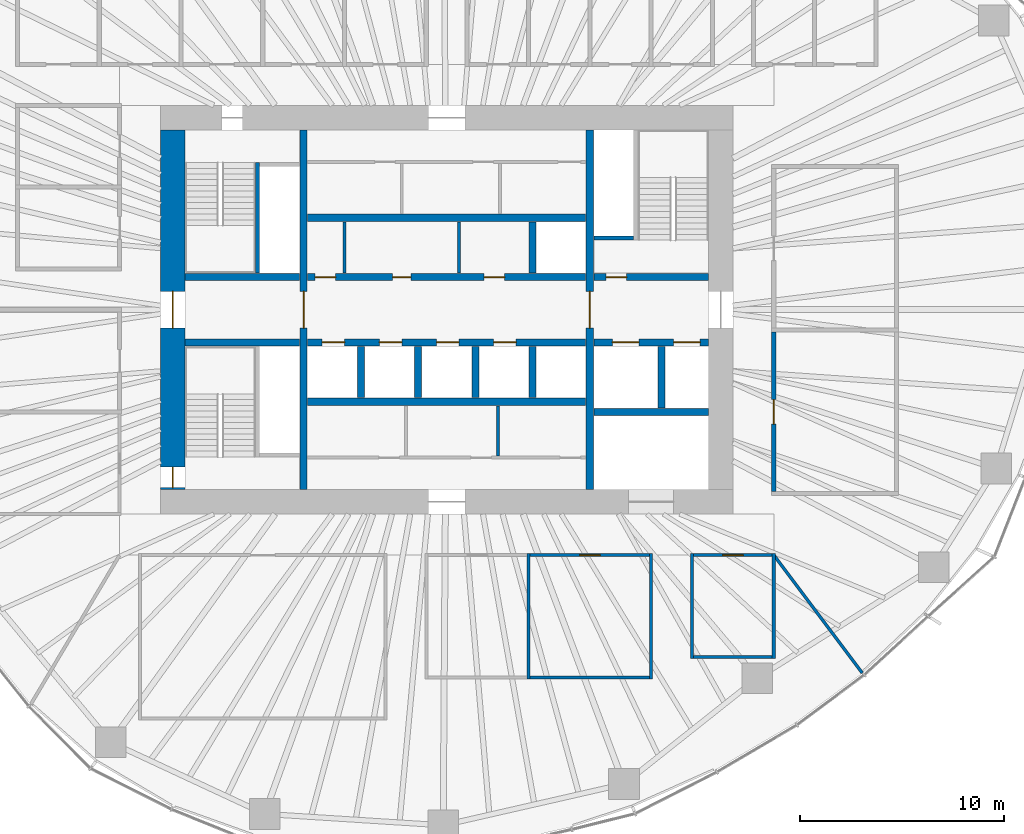
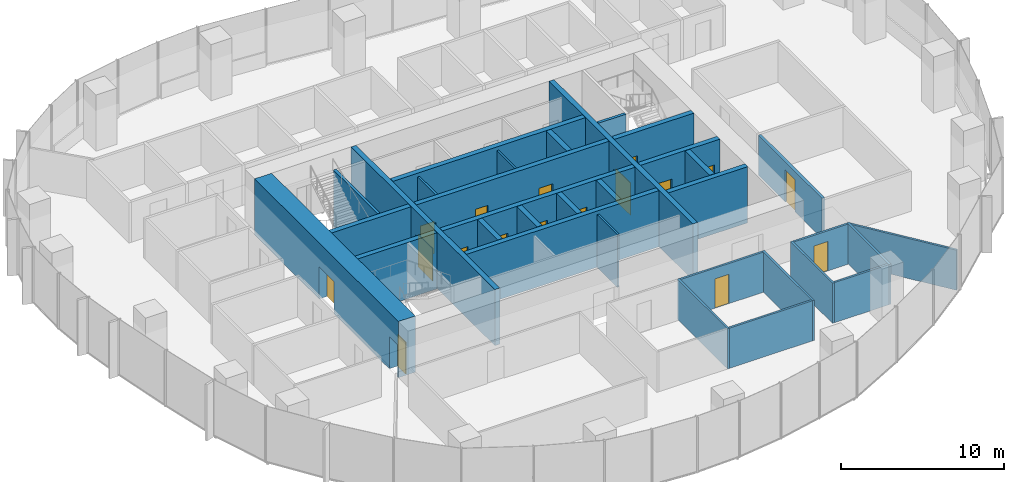
# One storey, part 9 of 18: 33 walls, 17 doors, 17 openings.
"""IFC4 building model written with IfcOpenShell, lengths in metres."""

from ifc_helpers import new_model, si_unit, direction, frame, frame_2d, origin, place, context, subcontext, project, spatial, rectangle, extrude, material, layer, layer_set, type_object, element, fill, save


model = new_model("IFC4")

# Units and contexts
model_context = context("Model", 3, precision=1e-05, world=origin(), true_north=direction((0.0, 1.0)))
body_context = subcontext(model_context, "Body", "Model", "MODEL_VIEW")
ifc_project = project(units=[si_unit("LENGTHUNIT", "METRE"), si_unit("AREAUNIT", "SQUARE_METRE"), si_unit("VOLUMEUNIT", "CUBIC_METRE"), si_unit("PLANEANGLEUNIT", "RADIAN"), si_unit("MASSUNIT", "GRAM", prefix="KILO")], contexts=[model_context])

# Site, building, storey
site_placement = place(None, origin())
site = spatial("IfcSite", under=ifc_project, at=site_placement, CompositionType="ELEMENT")
building_placement = place(site_placement, origin())
building = spatial("IfcBuilding", under=site, at=building_placement, Name="Ghaith Harvest Tower", CompositionType="ELEMENT")
storey_placement = place(building_placement, frame((0.0, 0.0, 138.60009765625)))
storey = spatial("IfcBuildingStorey", under=building, at=storey_placement, Name="L29", CompositionType="ELEMENT", Elevation=138.60009765625)

# Wall, opening, door
ifc_material_1 = material(Name="Twin-stud gypsum board, acoustic", Category="gypsum")
ifc_layer_1 = layer(ifc_material_1, 0.199951171875)
ifc_layer_set_1 = layer_set([ifc_layer_1], Name="ACOUSTIC PARTITION 200")
wall_type_1 = type_object("IfcWallType", Name="ACOUSTIC PARTITION 200", PredefinedType="PARTITIONING", material=ifc_layer_set_1)
wall_1_placement = place(storey_placement, frame((16.0, -8.89990234375, 0.0), z_axis=(0.0, 0.0, 1.0), x_axis=(0.0, 1.0, 0.0)))
wall_1 = element("IfcWall", 1, at=wall_1_placement, inside=storey, type_object=wall_type_1, Name="Partition L29-13", PredefinedType="PARTITIONING", context=body_context, shape_type="SweptSolid", body=[
    extrude(rectangle(XDim=7.7998046875, YDim=0.199951171875, at=frame_2d((3.89990234375, 0.0))), origin(), (0.0, 0.0, 1.0), 3.0),
])
opening_1_placement = place(wall_1_placement, frame((3.300048828125, 0.0, 0.0)))
opening_1 = element("IfcOpeningElement", 2, at=opening_1_placement, cuts=wall_1, Name="Opening 29-038", PredefinedType="OPENING", context=body_context, shape_type="SweptSolid", body=[
    extrude(rectangle(XDim=1.199951171875, YDim=2.39990234375, at=frame_2d((0.60009765625, 1.199951171875))), frame((0.0, 0.10986328125, 0.0), z_axis=(0.0, -1.0, 0.0), x_axis=(1.0, 0.0, 0.0)), (0.0, 0.0, 1.0), 0.219970703125),
])
ifc_material_2 = material(Name="Timber door", Category="wood")
door_type_1 = type_object("IfcDoorType", Name="D11 GLAZED 1200x2400", OperationType="SINGLE_SWING_LEFT", PredefinedType="DOOR", material=ifc_material_2)
door_1_placement = place(opening_1_placement, origin())
door_1 = element("IfcDoor", 3, at=door_1_placement, inside=storey, type_object=door_type_1, Name="Meeting room door", OperationType="SINGLE_SWING_LEFT", OverallHeight=2.39990234375, OverallWidth=1.199951171875, PredefinedType="DOOR", context=body_context, shape_type="SweptSolid", body=[
    extrude(rectangle(XDim=1.199951171875, YDim=2.39990234375, at=frame_2d((0.60009765625, 1.199951171875))), frame((0.0, 0.02490234375, 0.0), z_axis=(0.0, -1.0, 0.0), x_axis=(1.0, 0.0, 0.0)), (0.0, 0.0, 1.0), 0.050048828125),
])
fill(opening_1, door_1)

# Walls
ifc_material_3 = material(Name="Concrete blockwork, fair-faced", Category="masonry")
ifc_layer_2 = layer(ifc_material_3, 0.139892578125)
ifc_layer_set_2 = layer_set([ifc_layer_2], Name="CORE PARTITION 140")
wall_type_2 = type_object("IfcWallType", Name="CORE PARTITION 140", PredefinedType="PARTITIONING", material=ifc_layer_set_2)
wall_2_placement = place(storey_placement, frame((2.5, -4.699951171875, 0.0), z_axis=(0.0, 0.0, 1.0), x_axis=(0.0, -1.0, 0.0)))
element("IfcWall", 4, at=wall_2_placement, inside=storey, type_object=wall_type_2, Name="Core partition L29", PredefinedType="PARTITIONING", context=body_context, shape_type="SweptSolid", body=[
    extrude(rectangle(XDim=2.4599609375, YDim=0.139892578125, at=frame_2d((1.22998046875, 0.0))), origin(), (0.0, 0.0, 1.0), 3.949951171875),
])
for number, where, z_axis, x_axis, name in (
    (5, (-5.0, 1.800048828125, 0.0), (0.0, 0.0, 1.0), (0.0, 1.0, 0.0), "Core partition L29"),
    (6, (0.60009765625, 1.800048828125, 0.0), (0.0, 0.0, 1.0), (0.0, 1.0, 0.0), "Core partition L29"),
):
    element("IfcWall", number, at=place(storey_placement, frame(where, z_axis=z_axis, x_axis=x_axis)), inside=storey, type_object=wall_type_2, Name=name, PredefinedType="PARTITIONING", context=body_context, shape_type="SweptSolid", body=[
        extrude(rectangle(XDim=2.5, YDim=0.139892578125, at=frame_2d((1.25, 0.0))), origin(), (0.0, 0.0, 1.0), 3.949951171875),
    ])

# Wall, openings, doors
ifc_material_4 = material(Name="Concrete C60/75", Category="concrete")
ifc_layer_3 = layer(ifc_material_4, 1.199951171875)
ifc_layer_set_3 = layer_set([ifc_layer_3], Name="CORE WALL CW1200 C60")
wall_type_3 = type_object("IfcWallType", Name="CORE WALL CW1200 C60", PredefinedType="SHEAR", material=ifc_layer_set_3)
wall_3_placement = place(storey_placement, frame((-13.39990234375, 8.800048828125, 0.0), z_axis=(0.0, 0.0, 1.0), x_axis=(0.0, -1.0, 0.0)))
wall_3 = element("IfcWall", 7, at=wall_3_placement, inside=storey, type_object=wall_type_3, Name="Core wall W L29", PredefinedType="SHEAR", context=body_context, shape_type="SweptSolid", body=[
    extrude(rectangle(XDim=17.60009765625, YDim=1.199951171875, at=frame_2d((8.800048828125, 0.0))), origin(), (0.0, 0.0, 1.0), 4.199951171875),
])
opening_2_placement = place(wall_3_placement, frame((7.89990234375, 0.0, 0.0)))
opening_2 = element("IfcOpeningElement", 8, at=opening_2_placement, cuts=wall_3, Name="Opening 29-001", PredefinedType="OPENING", context=body_context, shape_type="SweptSolid", body=[
    extrude(rectangle(XDim=1.800048828125, YDim=2.39990234375, at=frame_2d((0.89990234375, 1.199951171875))), frame((0.0, 0.60986328125, 0.0), z_axis=(0.0, -1.0, 0.0), x_axis=(1.0, 0.0, 0.0)), (0.0, 0.0, 1.0), 1.219970703125),
])
opening_3_placement = place(wall_3_placement, frame((16.5, 0.0, 0.0)))
opening_3 = element("IfcOpeningElement", 9, at=opening_3_placement, cuts=wall_3, Name="Opening 29-006", PredefinedType="OPENING", context=body_context, shape_type="SweptSolid", body=[
    extrude(rectangle(XDim=1.0, YDim=2.39990234375, at=frame_2d((0.5, 1.199951171875))), frame((0.0, 0.60986328125, 0.0), z_axis=(0.0, -1.0, 0.0), x_axis=(1.0, 0.0, 0.0)), (0.0, 0.0, 1.0), 1.219970703125),
])
ifc_material_5 = material(Name="Steel fire door", Category="steel")
door_type_2 = type_object("IfcDoorType", Name="D3 FD90 1000x2400", OperationType="SINGLE_SWING_LEFT", PredefinedType="DOOR", material=ifc_material_5)
door_2_placement = place(opening_3_placement, origin())
door_2 = element("IfcDoor", 10, at=door_2_placement, inside=storey, type_object=door_type_2, Name="Stair ST3 door", OperationType="SINGLE_SWING_RIGHT", OverallHeight=2.39990234375, OverallWidth=1.0, PredefinedType="DOOR", context=body_context, shape_type="SweptSolid", body=[
    extrude(rectangle(XDim=1.0, YDim=2.39990234375, at=frame_2d((0.5, 1.199951171875))), frame((0.0, 0.02490234375, 0.0), z_axis=(0.0, -1.0, 0.0), x_axis=(1.0, 0.0, 0.0)), (0.0, 0.0, 1.0), 0.050048828125),
])
fill(opening_3, door_2)
ifc_material_6 = material(Name="Steel fire door", Category="steel")
door_type_3 = type_object("IfcDoorType", Name="D4 FD90 PAIR 1800x2400", OperationType="DOUBLE_DOOR_SINGLE_SWING", PredefinedType="DOOR", material=ifc_material_6)
door_3_placement = place(opening_2_placement, origin())
door_3 = element("IfcDoor", 11, at=door_3_placement, inside=storey, type_object=door_type_3, Name="West lobby doors", OperationType="DOUBLE_DOOR_SINGLE_SWING", OverallHeight=2.39990234375, OverallWidth=1.800048828125, PredefinedType="DOOR", context=body_context, shape_type="SweptSolid", body=[
    extrude(rectangle(XDim=1.800048828125, YDim=2.39990234375, at=frame_2d((0.89990234375, 1.199951171875))), frame((0.0, 0.02490234375, 0.0), z_axis=(0.0, -1.0, 0.0), x_axis=(1.0, 0.0, 0.0)), (0.0, 0.0, 1.0), 0.050048828125),
])
fill(opening_2, door_3)

# Walls
ifc_material_7 = material(Name="Gypsum board on steel studs", Category="steel")
ifc_layer_4 = layer(ifc_material_7, 0.14990234375)
ifc_layer_set_4 = layer_set([ifc_layer_4], Name="PARTITION 150")
wall_type_4 = type_object("IfcWallType", Name="PARTITION 150", PredefinedType="PARTITIONING", material=ifc_layer_set_4)
for number, where, z_axis, x_axis, name in (
    (12, (4.0, -11.925048828125, 0.0), (0.0, 0.0, 1.0), (0.0, -1.0, 0.0), "Partition L29 row S2 cross wall 2"),
    (13, (10.0, -11.925048828125, 0.0), (0.0, 0.0, 1.0), (0.0, -1.0, 0.0), "Partition L29 row S2 cross wall 3"),
):
    element("IfcWall", number, at=place(storey_placement, frame(where, z_axis=z_axis, x_axis=x_axis)), inside=storey, type_object=wall_type_4, Name=name, PredefinedType="PARTITIONING", context=body_context, shape_type="SweptSolid", body=[
        extrude(rectangle(XDim=6.14990234375, YDim=0.14990234375, at=frame_2d((3.074951171875, 0.0))), origin(), (0.0, 0.0, 1.0), 3.0),
    ])

# Wall, opening, door
wall_4_placement = place(storey_placement, frame((4.074951171875, -12.0, 0.0), z_axis=(0.0, 0.0, 1.0), x_axis=(1.0, 0.0, 0.0)))
wall_4 = element("IfcWall", 14, at=wall_4_placement, inside=storey, type_object=wall_type_4, Name="Partition L29-03", PredefinedType="PARTITIONING", context=body_context, shape_type="SweptSolid", body=[
    extrude(rectangle(XDim=5.85009765625, YDim=0.14990234375, at=frame_2d((2.925048828125, 0.0))), origin(), (0.0, 0.0, 1.0), 3.0),
])
opening_4_placement = place(wall_4_placement, frame((2.425048828125, 0.0, 0.0)))
opening_4 = element("IfcOpeningElement", 15, at=opening_4_placement, cuts=wall_4, Name="Opening 29-028", PredefinedType="OPENING", context=body_context, shape_type="SweptSolid", body=[
    extrude(rectangle(XDim=1.0, YDim=2.199951171875, at=frame_2d((0.5, 1.10009765625))), frame((0.0, 0.0849609375, 0.0), z_axis=(0.0, -1.0, 0.0), x_axis=(1.0, 0.0, 0.0)), (0.0, 0.0, 1.0), 0.169921875),
])
ifc_material_8 = material(Name="Timber door", Category="wood")
door_type_4 = type_object("IfcDoorType", Name="D1 SINGLE 1000x2200", OperationType="SINGLE_SWING_LEFT", PredefinedType="DOOR", material=ifc_material_8)
door_4_placement = place(opening_4_placement, origin())
door_4 = element("IfcDoor", 16, at=door_4_placement, inside=storey, type_object=door_type_4, Name="Pantry door", OperationType="SINGLE_SWING_LEFT", OverallHeight=2.199951171875, OverallWidth=1.0, PredefinedType="DOOR", context=body_context, shape_type="SweptSolid", body=[
    extrude(rectangle(XDim=1.0, YDim=2.199951171875, at=frame_2d((0.5, 1.10009765625))), frame((0.0, 0.02490234375, 0.0), z_axis=(0.0, -1.0, 0.0), x_axis=(1.0, 0.0, 0.0)), (0.0, 0.0, 1.0), 0.050048828125),
])
fill(opening_4, door_4)

# Walls
wall_5_placement = place(storey_placement, frame((4.074951171875, -18.0, 0.0), z_axis=(0.0, 0.0, 1.0), x_axis=(1.0, 0.0, 0.0)))
element("IfcWall", 17, at=wall_5_placement, inside=storey, type_object=wall_type_4, Name="Partition L29-03", PredefinedType="PARTITIONING", context=body_context, shape_type="SweptSolid", body=[
    extrude(rectangle(XDim=5.85009765625, YDim=0.14990234375, at=frame_2d((2.925048828125, 0.0))), origin(), (0.0, 0.0, 1.0), 3.0),
])
for number, where, z_axis, x_axis, name in (
    (18, (12.0, -11.925048828125, 0.0), (0.0, 0.0, 1.0), (0.0, -1.0, 0.0), "Partition L29 row S8 cross wall 1"),
    (19, (16.0, -11.925048828125, 0.0), (0.0, 0.0, 1.0), (0.0, -1.0, 0.0), "Partition L29 row S8 cross wall 2"),
):
    element("IfcWall", number, at=place(storey_placement, frame(where, z_axis=z_axis, x_axis=x_axis)), inside=storey, type_object=wall_type_4, Name=name, PredefinedType="PARTITIONING", context=body_context, shape_type="SweptSolid", body=[
        extrude(rectangle(XDim=5.14990234375, YDim=0.14990234375, at=frame_2d((2.574951171875, 0.0))), origin(), (0.0, 0.0, 1.0), 3.0),
    ])

# Wall, opening, door
wall_6_placement = place(storey_placement, frame((12.074951171875, -12.0, 0.0), z_axis=(0.0, 0.0, 1.0), x_axis=(1.0, 0.0, 0.0)))
wall_6 = element("IfcWall", 20, at=wall_6_placement, inside=storey, type_object=wall_type_4, Name="Partition L29-19", PredefinedType="PARTITIONING", context=body_context, shape_type="SweptSolid", body=[
    extrude(rectangle(XDim=3.85009765625, YDim=0.14990234375, at=frame_2d((1.925048828125, 0.0))), origin(), (0.0, 0.0, 1.0), 3.0),
])
opening_5_placement = place(wall_6_placement, frame((1.425048828125, 0.0, 0.0)))
opening_5 = element("IfcOpeningElement", 21, at=opening_5_placement, cuts=wall_6, Name="Opening 29-044", PredefinedType="OPENING", context=body_context, shape_type="SweptSolid", body=[
    extrude(rectangle(XDim=1.0, YDim=2.199951171875, at=frame_2d((0.5, 1.10009765625))), frame((0.0, 0.0849609375, 0.0), z_axis=(0.0, -1.0, 0.0), x_axis=(1.0, 0.0, 0.0)), (0.0, 0.0, 1.0), 0.169921875),
])
door_5_placement = place(opening_5_placement, origin())
door_5 = element("IfcDoor", 22, at=door_5_placement, inside=storey, type_object=door_type_4, Name="Store door", OperationType="SINGLE_SWING_LEFT", OverallHeight=2.199951171875, OverallWidth=1.0, PredefinedType="DOOR", context=body_context, shape_type="SweptSolid", body=[
    extrude(rectangle(XDim=1.0, YDim=2.199951171875, at=frame_2d((0.5, 1.10009765625))), frame((0.0, 0.02490234375, 0.0), z_axis=(0.0, -1.0, 0.0), x_axis=(1.0, 0.0, 0.0)), (0.0, 0.0, 1.0), 0.050048828125),
])
fill(opening_5, door_5)

# Walls
wall_7_placement = place(storey_placement, frame((12.074951171875, -17.0, 0.0), z_axis=(0.0, 0.0, 1.0), x_axis=(1.0, 0.0, 0.0)))
element("IfcWall", 23, at=wall_7_placement, inside=storey, type_object=wall_type_4, Name="Partition L29-19", PredefinedType="PARTITIONING", context=body_context, shape_type="SweptSolid", body=[
    extrude(rectangle(XDim=3.85009765625, YDim=0.14990234375, at=frame_2d((1.925048828125, 0.0))), origin(), (0.0, 0.0, 1.0), 3.0),
])
wall_8_placement = place(storey_placement, frame((16.02001953125, -12.026611328125, 0.0), z_axis=(0.0, 0.0, 1.0), x_axis=(0.600043534749, -0.799967347087, 0.0)))
element("IfcWall", 24, at=wall_8_placement, inside=storey, type_object=wall_type_4, Name="Partition L29 zone division", PredefinedType="PARTITIONING", context=body_context, shape_type="SweptSolid", body=[
    extrude(rectangle(XDim=7.177978515625, YDim=0.14990234375, at=frame_2d((3.5888671875, 0.0))), origin(), (0.0, 0.0, 1.0), 3.0),
])

# Wall, opening, door
ifc_material_9 = material(Name="Concrete C60/75", Category="concrete")
ifc_layer_5 = layer(ifc_material_9, 0.35009765625)
ifc_layer_set_5 = layer_set([ifc_layer_5], Name="SHAFT WALL 350")
wall_type_5 = type_object("IfcWallType", Name="SHAFT WALL 350", PredefinedType="SHEAR", material=ifc_layer_set_5)
wall_9_placement = place(storey_placement, frame((-7.0, -8.800048828125, 0.0), z_axis=(0.0, 0.0, 1.0), x_axis=(0.0, 1.0, 0.0)))
wall_9 = element("IfcWall", 25, at=wall_9_placement, inside=storey, type_object=wall_type_5, Name="Shaft wall W7W L29", PredefinedType="SHEAR", context=body_context, shape_type="SweptSolid", body=[
    extrude(rectangle(XDim=17.60009765625, YDim=0.35009765625, at=frame_2d((8.800048828125, 0.0))), origin(), (0.0, 0.0, 1.0), 4.199951171875),
])
opening_6_placement = place(wall_9_placement, frame((7.89990234375, 0.0, 0.0)))
opening_6 = element("IfcOpeningElement", 26, at=opening_6_placement, cuts=wall_9, Name="Opening 29-003", PredefinedType="OPENING", context=body_context, shape_type="SweptSolid", body=[
    extrude(rectangle(XDim=1.800048828125, YDim=2.39990234375, at=frame_2d((0.89990234375, 1.199951171875))), frame((0.0, 0.18505859375, 0.0), z_axis=(0.0, -1.0, 0.0), x_axis=(1.0, 0.0, 0.0)), (0.0, 0.0, 1.0), 0.3701171875),
])
door_6_placement = place(opening_6_placement, origin())
door_6 = element("IfcDoor", 27, at=door_6_placement, inside=storey, type_object=door_type_3, Name="Lift lobby doors, west", OperationType="DOUBLE_DOOR_SINGLE_SWING", OverallHeight=2.39990234375, OverallWidth=1.800048828125, PredefinedType="DOOR", context=body_context, shape_type="SweptSolid", body=[
    extrude(rectangle(XDim=1.800048828125, YDim=2.39990234375, at=frame_2d((0.89990234375, 1.199951171875))), frame((0.0, 0.02490234375, 0.0), z_axis=(0.0, -1.0, 0.0), x_axis=(1.0, 0.0, 0.0)), (0.0, 0.0, 1.0), 0.050048828125),
])
fill(opening_6, door_6)

wall_10_placement = place(storey_placement, frame((7.0, -8.800048828125, 0.0), z_axis=(0.0, 0.0, 1.0), x_axis=(0.0, 1.0, 0.0)))
wall_10 = element("IfcWall", 28, at=wall_10_placement, inside=storey, type_object=wall_type_5, Name="Shaft wall W7E L29", PredefinedType="SHEAR", context=body_context, shape_type="SweptSolid", body=[
    extrude(rectangle(XDim=17.60009765625, YDim=0.35009765625, at=frame_2d((8.800048828125, 0.0))), origin(), (0.0, 0.0, 1.0), 4.199951171875),
])
opening_7_placement = place(wall_10_placement, frame((7.89990234375, 0.0, 0.0)))
opening_7 = element("IfcOpeningElement", 29, at=opening_7_placement, cuts=wall_10, Name="Opening 29-004", PredefinedType="OPENING", context=body_context, shape_type="SweptSolid", body=[
    extrude(rectangle(XDim=1.800048828125, YDim=2.39990234375, at=frame_2d((0.89990234375, 1.199951171875))), frame((0.0, 0.18505859375, 0.0), z_axis=(0.0, -1.0, 0.0), x_axis=(1.0, 0.0, 0.0)), (0.0, 0.0, 1.0), 0.3701171875),
])
door_7_placement = place(opening_7_placement, origin())
door_7 = element("IfcDoor", 30, at=door_7_placement, inside=storey, type_object=door_type_3, Name="Lift lobby doors, east", OperationType="DOUBLE_DOOR_SINGLE_SWING", OverallHeight=2.39990234375, OverallWidth=1.800048828125, PredefinedType="DOOR", context=body_context, shape_type="SweptSolid", body=[
    extrude(rectangle(XDim=1.800048828125, YDim=2.39990234375, at=frame_2d((0.89990234375, 1.199951171875))), frame((0.0, 0.02490234375, 0.0), z_axis=(0.0, -1.0, 0.0), x_axis=(1.0, 0.0, 0.0)), (0.0, 0.0, 1.0), 0.050048828125),
])
fill(opening_7, door_7)

# Wall, openings, doors
wall_11_placement = place(storey_placement, frame((-6.800048828125, 1.60009765625, 0.0), z_axis=(0.0, 0.0, 1.0), x_axis=(1.0, 0.0, 0.0)))
wall_11 = element("IfcWall", 31, at=wall_11_placement, inside=storey, type_object=wall_type_5, Name="Shaft wall LN L29", PredefinedType="SHEAR", context=body_context, shape_type="SweptSolid", body=[
    extrude(rectangle(XDim=13.60009765625, YDim=0.35009765625, at=frame_2d((6.800048828125, 0.0))), origin(), (0.0, 0.0, 1.0), 4.199951171875),
])
opening_8_placement = place(wall_11_placement, frame((0.364990234375, 0.0, 0.0)))
opening_8 = element("IfcOpeningElement", 32, at=opening_8_placement, cuts=wall_11, Name="Opening 29-014", PredefinedType="OPENING", context=body_context, shape_type="SweptSolid", body=[
    extrude(rectangle(XDim=1.0, YDim=2.39990234375, at=frame_2d((0.5, 1.199951171875))), frame((0.0, 0.18505859375, 0.0), z_axis=(0.0, -1.0, 0.0), x_axis=(1.0, 0.0, 0.0)), (0.0, 0.0, 1.0), 0.3701171875),
])
opening_9_placement = place(wall_11_placement, frame((4.14990234375, 0.0, 0.0)))
opening_9 = element("IfcOpeningElement", 33, at=opening_9_placement, cuts=wall_11, Name="Opening 29-015", PredefinedType="OPENING", context=body_context, shape_type="SweptSolid", body=[
    extrude(rectangle(XDim=0.89990234375, YDim=2.39990234375, at=frame_2d((0.449951171875, 1.199951171875))), frame((0.0, 0.18505859375, 0.0), z_axis=(0.0, -1.0, 0.0), x_axis=(1.0, 0.0, 0.0)), (0.0, 0.0, 1.0), 0.3701171875),
])
opening_10_placement = place(wall_11_placement, frame((8.635009765625, 0.0, 0.0)))
opening_10 = element("IfcOpeningElement", 34, at=opening_10_placement, cuts=wall_11, Name="Opening 29-016", PredefinedType="OPENING", context=body_context, shape_type="SweptSolid", body=[
    extrude(rectangle(XDim=1.0, YDim=2.39990234375, at=frame_2d((0.5, 1.199951171875))), frame((0.0, 0.18505859375, 0.0), z_axis=(0.0, -1.0, 0.0), x_axis=(1.0, 0.0, 0.0)), (0.0, 0.0, 1.0), 0.3701171875),
])
door_8_placement = place(opening_8_placement, origin())
door_8 = element("IfcDoor", 35, at=door_8_placement, inside=storey, type_object=door_type_2, Name="Tea point door", OperationType="SINGLE_SWING_LEFT", OverallHeight=2.39990234375, OverallWidth=1.0, PredefinedType="DOOR", context=body_context, shape_type="SweptSolid", body=[
    extrude(rectangle(XDim=1.0, YDim=2.39990234375, at=frame_2d((0.5, 1.199951171875))), frame((0.0, 0.02490234375, 0.0), z_axis=(0.0, -1.0, 0.0), x_axis=(1.0, 0.0, 0.0)), (0.0, 0.0, 1.0), 0.050048828125),
])
fill(opening_8, door_8)
door_9_placement = place(opening_10_placement, origin())
door_9 = element("IfcDoor", 36, at=door_9_placement, inside=storey, type_object=door_type_2, Name="IT equipment room door", OperationType="SINGLE_SWING_RIGHT", OverallHeight=2.39990234375, OverallWidth=1.0, PredefinedType="DOOR", context=body_context, shape_type="SweptSolid", body=[
    extrude(rectangle(XDim=1.0, YDim=2.39990234375, at=frame_2d((0.5, 1.199951171875))), frame((0.0, 0.02490234375, 0.0), z_axis=(0.0, -1.0, 0.0), x_axis=(1.0, 0.0, 0.0)), (0.0, 0.0, 1.0), 0.050048828125),
])
fill(opening_10, door_9)
ifc_material_10 = material(Name="Steel fire door", Category="steel")
door_type_5 = type_object("IfcDoorType", Name="D5 FD90 900x2400", OperationType="SINGLE_SWING_LEFT", PredefinedType="DOOR", material=ifc_material_10)
door_10_placement = place(opening_9_placement, origin())
door_10 = element("IfcDoor", 37, at=door_10_placement, inside=storey, type_object=door_type_5, Name="Lobby store door", OperationType="SINGLE_SWING_LEFT", OverallHeight=2.39990234375, OverallWidth=0.89990234375, PredefinedType="DOOR", context=body_context, shape_type="SweptSolid", body=[
    extrude(rectangle(XDim=0.89990234375, YDim=2.39990234375, at=frame_2d((0.449951171875, 1.199951171875))), frame((0.0, 0.02490234375, 0.0), z_axis=(0.0, -1.0, 0.0), x_axis=(1.0, 0.0, 0.0)), (0.0, 0.0, 1.0), 0.050048828125),
])
fill(opening_9, door_10)

wall_12_placement = place(storey_placement, frame((-6.800048828125, -1.60009765625, 0.0), z_axis=(0.0, 0.0, 1.0), x_axis=(1.0, 0.0, 0.0)))
wall_12 = element("IfcWall", 38, at=wall_12_placement, inside=storey, type_object=wall_type_5, Name="Shaft wall LS L29", PredefinedType="SHEAR", context=body_context, shape_type="SweptSolid", body=[
    extrude(rectangle(XDim=13.60009765625, YDim=0.35009765625, at=frame_2d((6.800048828125, 0.0))), origin(), (0.0, 0.0, 1.0), 4.199951171875),
])
opening_11_placement = place(wall_12_placement, frame((0.699951171875, 0.0, 0.0)))
opening_11 = element("IfcOpeningElement", 39, at=opening_11_placement, cuts=wall_12, Name="Opening 29-019", PredefinedType="OPENING", context=body_context, shape_type="SweptSolid", body=[
    extrude(rectangle(XDim=1.10009765625, YDim=2.39990234375, at=frame_2d((0.550048828125, 1.199951171875))), frame((0.0, 0.18505859375, 0.0), z_axis=(0.0, -1.0, 0.0), x_axis=(1.0, 0.0, 0.0)), (0.0, 0.0, 1.0), 0.3701171875),
])
opening_12_placement = place(wall_12_placement, frame((3.5, 0.0, 0.0)))
opening_12 = element("IfcOpeningElement", 40, at=opening_12_placement, cuts=wall_12, Name="Opening 29-020", PredefinedType="OPENING", context=body_context, shape_type="SweptSolid", body=[
    extrude(rectangle(XDim=1.10009765625, YDim=2.39990234375, at=frame_2d((0.550048828125, 1.199951171875))), frame((0.0, 0.18505859375, 0.0), z_axis=(0.0, -1.0, 0.0), x_axis=(1.0, 0.0, 0.0)), (0.0, 0.0, 1.0), 0.3701171875),
])
opening_13_placement = place(wall_12_placement, frame((6.300048828125, 0.0, 0.0)))
opening_13 = element("IfcOpeningElement", 41, at=opening_13_placement, cuts=wall_12, Name="Opening 29-021", PredefinedType="OPENING", context=body_context, shape_type="SweptSolid", body=[
    extrude(rectangle(XDim=1.10009765625, YDim=2.39990234375, at=frame_2d((0.550048828125, 1.199951171875))), frame((0.0, 0.18505859375, 0.0), z_axis=(0.0, -1.0, 0.0), x_axis=(1.0, 0.0, 0.0)), (0.0, 0.0, 1.0), 0.3701171875),
])
opening_14_placement = place(wall_12_placement, frame((9.10009765625, 0.0, 0.0)))
opening_14 = element("IfcOpeningElement", 42, at=opening_14_placement, cuts=wall_12, Name="Opening 29-022", PredefinedType="OPENING", context=body_context, shape_type="SweptSolid", body=[
    extrude(rectangle(XDim=1.10009765625, YDim=2.39990234375, at=frame_2d((0.550048828125, 1.199951171875))), frame((0.0, 0.18505859375, 0.0), z_axis=(0.0, -1.0, 0.0), x_axis=(1.0, 0.0, 0.0)), (0.0, 0.0, 1.0), 0.3701171875),
])
ifc_material_11 = material(Name="Steel fire door", Category="steel")
door_type_6 = type_object("IfcDoorType", Name="LD1 LANDING 1100x2400", OperationType="DOUBLE_DOOR_SLIDING", PredefinedType="DOOR", material=ifc_material_11)
door_11_placement = place(opening_11_placement, origin())
door_11 = element("IfcDoor", 43, at=door_11_placement, inside=storey, type_object=door_type_6, Name="Landing door, lift LR1", OperationType="DOUBLE_DOOR_SLIDING", OverallHeight=2.39990234375, OverallWidth=1.10009765625, PredefinedType="DOOR", context=body_context, shape_type="SweptSolid", body=[
    extrude(rectangle(XDim=1.10009765625, YDim=2.39990234375, at=frame_2d((0.550048828125, 1.199951171875))), frame((0.0, 0.02490234375, 0.0), z_axis=(0.0, -1.0, 0.0), x_axis=(1.0, 0.0, 0.0)), (0.0, 0.0, 1.0), 0.050048828125),
])
fill(opening_11, door_11)
door_12_placement = place(opening_12_placement, origin())
door_12 = element("IfcDoor", 44, at=door_12_placement, inside=storey, type_object=door_type_6, Name="Landing door, lift LR2", OperationType="DOUBLE_DOOR_SLIDING", OverallHeight=2.39990234375, OverallWidth=1.10009765625, PredefinedType="DOOR", context=body_context, shape_type="SweptSolid", body=[
    extrude(rectangle(XDim=1.10009765625, YDim=2.39990234375, at=frame_2d((0.550048828125, 1.199951171875))), frame((0.0, 0.02490234375, 0.0), z_axis=(0.0, -1.0, 0.0), x_axis=(1.0, 0.0, 0.0)), (0.0, 0.0, 1.0), 0.050048828125),
])
fill(opening_12, door_12)
door_13_placement = place(opening_13_placement, origin())
door_13 = element("IfcDoor", 45, at=door_13_placement, inside=storey, type_object=door_type_6, Name="Landing door, lift LR3", OperationType="DOUBLE_DOOR_SLIDING", OverallHeight=2.39990234375, OverallWidth=1.10009765625, PredefinedType="DOOR", context=body_context, shape_type="SweptSolid", body=[
    extrude(rectangle(XDim=1.10009765625, YDim=2.39990234375, at=frame_2d((0.550048828125, 1.199951171875))), frame((0.0, 0.02490234375, 0.0), z_axis=(0.0, -1.0, 0.0), x_axis=(1.0, 0.0, 0.0)), (0.0, 0.0, 1.0), 0.050048828125),
])
fill(opening_13, door_13)
door_14_placement = place(opening_14_placement, origin())
door_14 = element("IfcDoor", 46, at=door_14_placement, inside=storey, type_object=door_type_6, Name="Landing door, lift LR4", OperationType="DOUBLE_DOOR_SLIDING", OverallHeight=2.39990234375, OverallWidth=1.10009765625, PredefinedType="DOOR", context=body_context, shape_type="SweptSolid", body=[
    extrude(rectangle(XDim=1.10009765625, YDim=2.39990234375, at=frame_2d((0.550048828125, 1.199951171875))), frame((0.0, 0.02490234375, 0.0), z_axis=(0.0, -1.0, 0.0), x_axis=(1.0, 0.0, 0.0)), (0.0, 0.0, 1.0), 0.050048828125),
])
fill(opening_14, door_14)

# Walls
for number, where, z_axis, x_axis, name in (
    (47, (-6.800048828125, 4.5, 0.0), (0.0, 0.0, 1.0), (1.0, 0.0, 0.0), "Shaft wall BN L29"),
    (48, (-6.800048828125, -4.5, 0.0), (0.0, 0.0, 1.0), (1.0, 0.0, 0.0), "Shaft wall BS L29"),
):
    element("IfcWall", number, at=place(storey_placement, frame(where, z_axis=z_axis, x_axis=x_axis)), inside=storey, type_object=wall_type_5, Name=name, PredefinedType="SHEAR", context=body_context, shape_type="SweptSolid", body=[
        extrude(rectangle(XDim=13.60009765625, YDim=0.35009765625, at=frame_2d((6.800048828125, 0.0))), origin(), (0.0, 0.0, 1.0), 4.199951171875),
    ])
for number, where, z_axis, x_axis, name in (
    (49, (-12.800048828125, 1.60009765625, 0.0), (0.0, 0.0, 1.0), (1.0, 0.0, 0.0), "Shaft wall WN L29"),
    (50, (-12.800048828125, -1.60009765625, 0.0), (0.0, 0.0, 1.0), (1.0, 0.0, 0.0), "Shaft wall WS L29"),
):
    element("IfcWall", number, at=place(storey_placement, frame(where, z_axis=z_axis, x_axis=x_axis)), inside=storey, type_object=wall_type_5, Name=name, PredefinedType="SHEAR", context=body_context, shape_type="SweptSolid", body=[
        extrude(rectangle(XDim=5.60009765625, YDim=0.35009765625, at=frame_2d((2.800048828125, 0.0))), origin(), (0.0, 0.0, 1.0), 4.199951171875),
    ])

# Wall, opening, door
wall_13_placement = place(storey_placement, frame((7.199951171875, 1.60009765625, 0.0), z_axis=(0.0, 0.0, 1.0), x_axis=(1.0, 0.0, 0.0)))
wall_13 = element("IfcWall", 51, at=wall_13_placement, inside=storey, type_object=wall_type_5, Name="Shaft wall EN L29", PredefinedType="SHEAR", context=body_context, shape_type="SweptSolid", body=[
    extrude(rectangle(XDim=5.60009765625, YDim=0.35009765625, at=frame_2d((2.800048828125, 0.0))), origin(), (0.0, 0.0, 1.0), 4.199951171875),
])
opening_15_placement = place(wall_13_placement, frame((0.60009765625, 0.0, 0.0)))
opening_15 = element("IfcOpeningElement", 52, at=opening_15_placement, cuts=wall_13, Name="Opening 29-007", PredefinedType="OPENING", context=body_context, shape_type="SweptSolid", body=[
    extrude(rectangle(XDim=1.0, YDim=2.39990234375, at=frame_2d((0.5, 1.199951171875))), frame((0.0, 0.18505859375, 0.0), z_axis=(0.0, -1.0, 0.0), x_axis=(1.0, 0.0, 0.0)), (0.0, 0.0, 1.0), 0.3701171875),
])
door_15_placement = place(opening_15_placement, origin())
door_15 = element("IfcDoor", 53, at=door_15_placement, inside=storey, type_object=door_type_2, Name="Stair ST2 door", OperationType="SINGLE_SWING_LEFT", OverallHeight=2.39990234375, OverallWidth=1.0, PredefinedType="DOOR", context=body_context, shape_type="SweptSolid", body=[
    extrude(rectangle(XDim=1.0, YDim=2.39990234375, at=frame_2d((0.5, 1.199951171875))), frame((0.0, 0.02490234375, 0.0), z_axis=(0.0, -1.0, 0.0), x_axis=(1.0, 0.0, 0.0)), (0.0, 0.0, 1.0), 0.050048828125),
])
fill(opening_15, door_15)

# Wall, openings, doors
wall_14_placement = place(storey_placement, frame((7.199951171875, -1.60009765625, 0.0), z_axis=(0.0, 0.0, 1.0), x_axis=(1.0, 0.0, 0.0)))
wall_14 = element("IfcWall", 54, at=wall_14_placement, inside=storey, type_object=wall_type_5, Name="Shaft wall ES L29", PredefinedType="SHEAR", context=body_context, shape_type="SweptSolid", body=[
    extrude(rectangle(XDim=5.60009765625, YDim=0.35009765625, at=frame_2d((2.800048828125, 0.0))), origin(), (0.0, 0.0, 1.0), 4.199951171875),
])
opening_16_placement = place(wall_14_placement, frame((0.89990234375, 0.0, 0.0)))
opening_16 = element("IfcOpeningElement", 55, at=opening_16_placement, cuts=wall_14, Name="Opening 29-023", PredefinedType="OPENING", context=body_context, shape_type="SweptSolid", body=[
    extrude(rectangle(XDim=1.300048828125, YDim=2.39990234375, at=frame_2d((0.64990234375, 1.199951171875))), frame((0.0, 0.18505859375, 0.0), z_axis=(0.0, -1.0, 0.0), x_axis=(1.0, 0.0, 0.0)), (0.0, 0.0, 1.0), 0.3701171875),
])
opening_17_placement = place(wall_14_placement, frame((3.89990234375, 0.0, 0.0)))
opening_17 = element("IfcOpeningElement", 56, at=opening_17_placement, cuts=wall_14, Name="Opening 29-024", PredefinedType="OPENING", context=body_context, shape_type="SweptSolid", body=[
    extrude(rectangle(XDim=1.300048828125, YDim=2.39990234375, at=frame_2d((0.64990234375, 1.199951171875))), frame((0.0, 0.18505859375, 0.0), z_axis=(0.0, -1.0, 0.0), x_axis=(1.0, 0.0, 0.0)), (0.0, 0.0, 1.0), 0.3701171875),
])
ifc_material_12 = material(Name="Steel fire door", Category="steel")
door_type_7 = type_object("IfcDoorType", Name="LD2 LANDING 1300x2400", OperationType="DOUBLE_DOOR_SLIDING", PredefinedType="DOOR", material=ifc_material_12)
door_16_placement = place(opening_16_placement, origin())
door_16 = element("IfcDoor", 57, at=door_16_placement, inside=storey, type_object=door_type_7, Name="Landing door, fire service lift FL1", OperationType="DOUBLE_DOOR_SLIDING", OverallHeight=2.39990234375, OverallWidth=1.300048828125, PredefinedType="DOOR", context=body_context, shape_type="SweptSolid", body=[
    extrude(rectangle(XDim=1.300048828125, YDim=2.39990234375, at=frame_2d((0.64990234375, 1.199951171875))), frame((0.0, 0.02490234375, 0.0), z_axis=(0.0, -1.0, 0.0), x_axis=(1.0, 0.0, 0.0)), (0.0, 0.0, 1.0), 0.050048828125),
])
fill(opening_16, door_16)
door_17_placement = place(opening_17_placement, origin())
door_17 = element("IfcDoor", 58, at=door_17_placement, inside=storey, type_object=door_type_7, Name="Landing door, fire service lift FL2", OperationType="DOUBLE_DOOR_SLIDING", OverallHeight=2.39990234375, OverallWidth=1.300048828125, PredefinedType="DOOR", context=body_context, shape_type="SweptSolid", body=[
    extrude(rectangle(XDim=1.300048828125, YDim=2.39990234375, at=frame_2d((0.64990234375, 1.199951171875))), frame((0.0, 0.02490234375, 0.0), z_axis=(0.0, -1.0, 0.0), x_axis=(1.0, 0.0, 0.0)), (0.0, 0.0, 1.0), 0.050048828125),
])
fill(opening_17, door_17)

# Walls
wall_15_placement = place(storey_placement, frame((10.5, -4.800048828125, 0.0), z_axis=(0.0, 0.0, 1.0), x_axis=(0.0, 1.0, 0.0)))
element("IfcWall", 59, at=wall_15_placement, inside=storey, type_object=wall_type_5, Name="Shaft wall FLD L29", PredefinedType="SHEAR", context=body_context, shape_type="SweptSolid", body=[
    extrude(rectangle(XDim=3.0, YDim=0.35009765625, at=frame_2d((1.5, 0.0))), origin(), (0.0, 0.0, 1.0), 4.199951171875),
])
wall_16_placement = place(storey_placement, frame((7.199951171875, -5.0, 0.0), z_axis=(0.0, 0.0, 1.0), x_axis=(1.0, 0.0, 0.0)))
element("IfcWall", 60, at=wall_16_placement, inside=storey, type_object=wall_type_5, Name="Shaft wall FLB L29", PredefinedType="SHEAR", context=body_context, shape_type="SweptSolid", body=[
    extrude(rectangle(XDim=5.60009765625, YDim=0.35009765625, at=frame_2d((2.800048828125, 0.0))), origin(), (0.0, 0.0, 1.0), 4.199951171875),
])
for number, where, z_axis, x_axis, name in (
    (61, (-4.199951171875, -4.300048828125, 0.0), (0.0, 0.0, 1.0), (0.0, 1.0, 0.0), "Shaft wall DS1 L29"),
    (62, (-1.39990234375, -4.300048828125, 0.0), (0.0, 0.0, 1.0), (0.0, 1.0, 0.0), "Shaft wall DS2 L29"),
    (63, (1.39990234375, -4.300048828125, 0.0), (0.0, 0.0, 1.0), (0.0, 1.0, 0.0), "Shaft wall DS3 L29"),
    (64, (4.199951171875, 1.800048828125, 0.0), (0.0, 0.0, 1.0), (0.0, 1.0, 0.0), "Shaft wall DN4 L29"),
    (65, (4.199951171875, -4.300048828125, 0.0), (0.0, 0.0, 1.0), (0.0, 1.0, 0.0), "Shaft wall DS4 L29"),
):
    element("IfcWall", number, at=place(storey_placement, frame(where, z_axis=z_axis, x_axis=x_axis)), inside=storey, type_object=wall_type_5, Name=name, PredefinedType="SHEAR", context=body_context, shape_type="SweptSolid", body=[
        extrude(rectangle(XDim=2.5, YDim=0.35009765625, at=frame_2d((1.25, 0.0))), origin(), (0.0, 0.0, 1.0), 4.199951171875),
    ])
ifc_material_13 = material(Name="Concrete C40/50", Category="concrete")
ifc_layer_6 = layer(ifc_material_13, 0.199951171875)
ifc_layer_set_6 = layer_set([ifc_layer_6], Name="STAIR SPINE WALL RC200")
wall_type_6 = type_object("IfcWallType", Name="STAIR SPINE WALL RC200", PredefinedType="SOLIDWALL", material=ifc_layer_set_6)
wall_17_placement = place(storey_placement, frame((-9.25, 7.199951171875, 0.0), z_axis=(0.0, 0.0, 1.0), x_axis=(0.0, -1.0, 0.0)))
element("IfcWall", 66, at=wall_17_placement, inside=storey, type_object=wall_type_6, Name="Stair ST1 spine wall L29", PredefinedType="SOLIDWALL", context=body_context, shape_type="SweptSolid", body=[
    extrude(rectangle(XDim=5.39990234375, YDim=0.199951171875, at=frame_2d((2.699951171875, 0.0))), origin(), (0.0, 0.0, 1.0), 4.199951171875),
])
wall_18_placement = place(storey_placement, frame((9.14990234375, 3.5, 0.0), z_axis=(0.0, 0.0, 1.0), x_axis=(-1.0, 0.0, 0.0)))
element("IfcWall", 67, at=wall_18_placement, inside=storey, type_object=wall_type_6, Name="Stair ST2 spine wall return L29", PredefinedType="SOLIDWALL", context=body_context, shape_type="SweptSolid", body=[
    extrude(rectangle(XDim=1.949951171875, YDim=0.199951171875, at=frame_2d((0.97509765625, 0.0))), origin(), (0.0, 0.0, 1.0), 4.199951171875),
])

save(model, "model.ifc")
